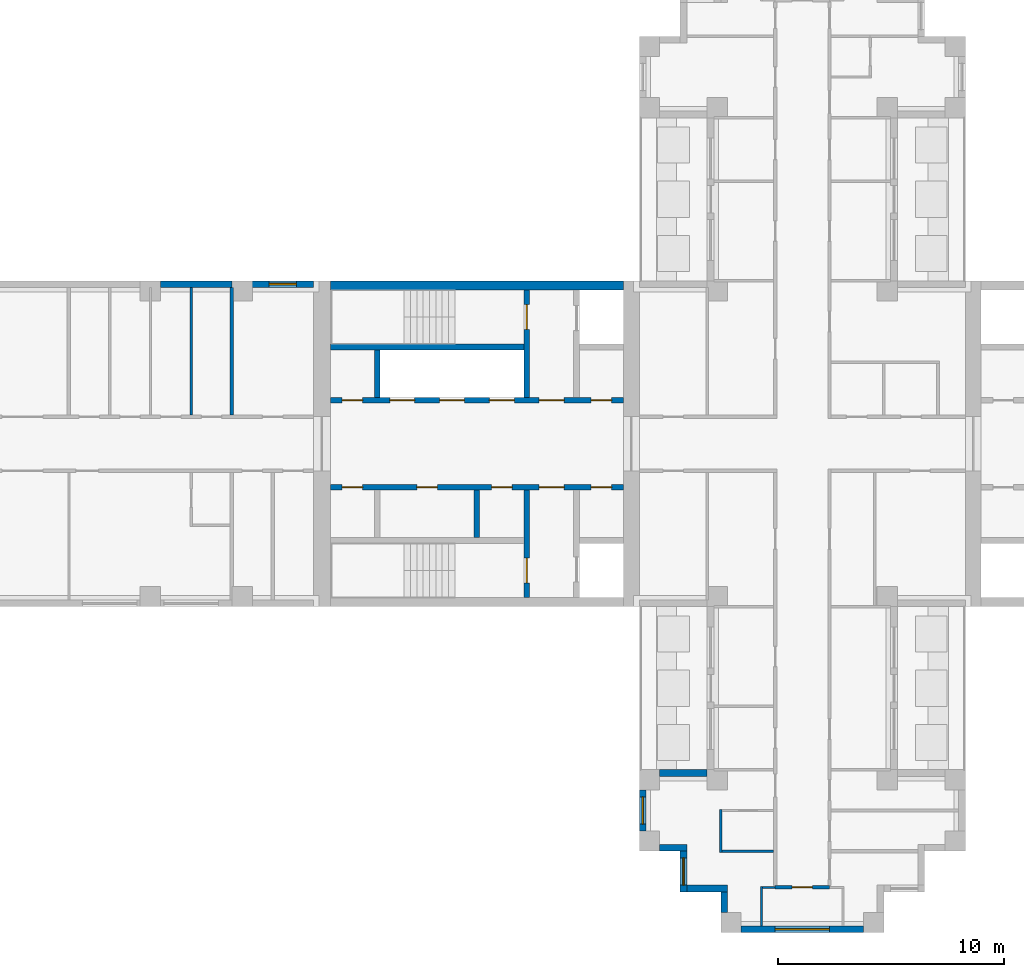
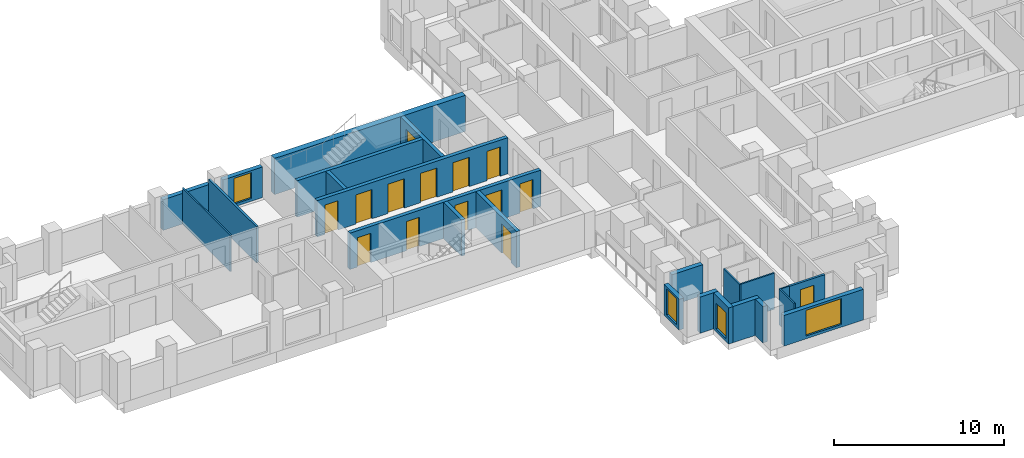
# One storey, part 3 of 10: 24 walls, 14 doors, 4 windows, 18 openings.
"""IFC4 building model written with IfcOpenShell, lengths in metres."""

from ifc_helpers import new_model, si_unit, direction, frame, frame_2d, origin, place, context, subcontext, project, spatial, rectangle, extrude, material, layer, layer_set, type_object, element, fill, save


model = new_model("IFC4")

# Units and contexts
model_context = context("Model", 3, precision=1e-05, world=origin(), true_north=direction((0.0, 1.0)))
body_context = subcontext(model_context, "Body", "Model", "MODEL_VIEW")
ifc_project = project(units=[si_unit("LENGTHUNIT", "METRE"), si_unit("AREAUNIT", "SQUARE_METRE"), si_unit("VOLUMEUNIT", "CUBIC_METRE"), si_unit("PLANEANGLEUNIT", "RADIAN"), si_unit("MASSUNIT", "GRAM", prefix="KILO")], contexts=[model_context])

# Site, building, storey
site_placement = place(None, origin())
site = spatial("IfcSite", under=ifc_project, at=site_placement, CompositionType="ELEMENT")
building_placement = place(site_placement, origin())
building = spatial("IfcBuilding", under=site, at=building_placement, Name="Fustian Cross Tower", CompositionType="ELEMENT")
storey_placement = place(building_placement, frame((0.0, 0.0, 182.699951171875)))
storey = spatial("IfcBuildingStorey", under=building, at=storey_placement, Name="L57", CompositionType="ELEMENT", Elevation=182.699951171875)

# Wall
ifc_material_1 = material(Name="Plasterboard on steel stud", Category="steel")
ifc_layer_1 = layer(ifc_material_1, 0.14990234375)
ifc_layer_set_1 = layer_set([ifc_layer_1], Name="Plasterboard on steel stud")
wall_type_1 = type_object("IfcWallType", Name="COMPARTMENT WALL 150 EI 60", PredefinedType="PARTITIONING", material=ifc_layer_set_1)
wall_1_placement = place(storey_placement, frame((-25.199951171875, 1.27490234375, 0.0), z_axis=(0.0, 0.0, 1.0), x_axis=(0.0, 1.0, 0.0)))
element("IfcWall", 1, at=wall_1_placement, inside=storey, type_object=wall_type_1, Name="Partition 11", PredefinedType="PARTITIONING", context=body_context, shape_type="SweptSolid", body=[
    extrude(rectangle(XDim=5.625, YDim=0.14990234375, at=frame_2d((2.8125, 0.0))), origin(), (0.0, 0.0, 1.0), 2.60009765625),
])

# Wall, opening, door
wall_2_placement = place(storey_placement, frame((-1.199951171875, -19.60009765625, 0.0), z_axis=(0.0, 0.0, 1.0), x_axis=(1.0, 0.0, 0.0)))
wall_2 = element("IfcWall", 2, at=wall_2_placement, inside=storey, type_object=wall_type_1, Name="Partition 32", PredefinedType="PARTITIONING", context=body_context, shape_type="SweptSolid", body=[
    extrude(rectangle(XDim=2.39990234375, YDim=0.14990234375, at=frame_2d((1.199951171875, 0.0))), origin(), (0.0, 0.0, 1.0), 2.60009765625),
])
opening_1_placement = place(wall_2_placement, frame((0.75, 0.0, 0.0)))
opening_1 = element("IfcOpeningElement", 3, at=opening_1_placement, cuts=wall_2, Name="Opening D26038", PredefinedType="OPENING", context=body_context, shape_type="SweptSolid", body=[
    extrude(rectangle(XDim=0.89990234375, YDim=2.10009765625, at=frame_2d((0.449951171875, 1.050048828125))), frame((0.0, 0.0849609375, 0.0), z_axis=(0.0, -1.0, 0.0), x_axis=(1.0, 0.0, 0.0)), (0.0, 0.0, 1.0), 0.169921875),
])
ifc_material_2 = material(Name="Timber fire door set", Category="wood")
door_type_1 = type_object("IfcDoorType", Name="FIRE SWING DOOR 900 FD30S", OperationType="SINGLE_SWING_LEFT", PredefinedType="DOOR", material=ifc_material_2)
door_1_placement = place(opening_1_placement, frame((0.89990234375, 0.0, 0.0), z_axis=(0.0, 0.0, 1.0), x_axis=(-1.0, 0.0, 0.0)))
door_1 = element("IfcDoor", 4, at=door_1_placement, inside=storey, type_object=door_type_1, Name="Door D26038", OperationType="SINGLE_SWING_RIGHT", OverallHeight=2.10009765625, OverallWidth=0.89990234375, PredefinedType="DOOR", context=body_context, shape_type="SweptSolid", body=[
    extrude(rectangle(XDim=0.89990234375, YDim=2.10009765625, at=frame_2d((0.449951171875, 1.050048828125))), frame((0.0, 0.02490234375, 0.0), z_axis=(0.0, -1.0, 0.0), x_axis=(1.0, 0.0, 0.0)), (0.0, 0.0, 1.0), 0.050048828125),
])
fill(opening_1, door_1)

# Wall
ifc_material_3 = material(Name="Concrete C50/60", Category="concrete")
ifc_layer_2 = layer(ifc_material_3, 0.39990234375)
ifc_layer_set_2 = layer_set([ifc_layer_2], Name="Concrete C50/60")
wall_type_2 = type_object("IfcWallType", Name="CORE FACADE WALL 400 C50/60", PredefinedType="SHEAR", material=ifc_layer_set_2)
wall_3_placement = place(storey_placement, frame((-7.89990234375, 7.0, 0.0), z_axis=(0.0, 0.0, 1.0), x_axis=(-1.0, 0.0, 0.0)))
element("IfcWall", 5, at=wall_3_placement, inside=storey, type_object=wall_type_2, Name="Core facade wall", PredefinedType="SHEAR", context=body_context, shape_type="SweptSolid", body=[
    extrude(rectangle(XDim=12.9501953125, YDim=0.39990234375, at=frame_2d((6.47509765625, 0.0))), origin(), (0.0, 0.0, 1.0), 2.60009765625),
])

# Wall, openings, doors
ifc_material_4 = material(Name="Concrete C50/60", Category="concrete")
ifc_layer_3 = layer(ifc_material_4, 0.25)
ifc_layer_set_3 = layer_set([ifc_layer_3], Name="Concrete C50/60")
wall_type_3 = type_object("IfcWallType", Name="CORE LOBBY WALL 250 C50/60", PredefinedType="SHEAR", material=ifc_layer_set_3)
wall_4_placement = place(storey_placement, frame((-7.89990234375, 1.925048828125, 0.0), z_axis=(0.0, 0.0, 1.0), x_axis=(-1.0, 0.0, 0.0)))
wall_4 = element("IfcWall", 6, at=wall_4_placement, inside=storey, type_object=wall_type_3, Name="Core lobby wall", PredefinedType="SHEAR", context=body_context, shape_type="SweptSolid", body=[
    extrude(rectangle(XDim=12.9501953125, YDim=0.25, at=frame_2d((6.47509765625, 0.0))), origin(), (0.0, 0.0, 1.0), 2.60009765625),
])
opening_2_placement = place(wall_4_placement, frame((4.824951171875, 0.0, 0.0)))
opening_2 = element("IfcOpeningElement", 7, at=opening_2_placement, cuts=wall_4, Name="Opening LD", PredefinedType="OPENING", context=body_context, shape_type="SweptSolid", body=[
    extrude(rectangle(XDim=1.10009765625, YDim=2.10009765625, at=frame_2d((0.550048828125, 1.050048828125))), frame((0.0, 0.135009765625, 0.0), z_axis=(0.0, -1.0, 0.0), x_axis=(1.0, 0.0, 0.0)), (0.0, 0.0, 1.0), 0.27001953125),
])
opening_3_placement = place(wall_4_placement, frame((7.02490234375, 0.0, 0.0)))
opening_3 = element("IfcOpeningElement", 8, at=opening_3_placement, cuts=wall_4, Name="Opening LD", PredefinedType="OPENING", context=body_context, shape_type="SweptSolid", body=[
    extrude(rectangle(XDim=1.10009765625, YDim=2.10009765625, at=frame_2d((0.550048828125, 1.050048828125))), frame((0.0, 0.135009765625, 0.0), z_axis=(0.0, -1.0, 0.0), x_axis=(1.0, 0.0, 0.0)), (0.0, 0.0, 1.0), 0.27001953125),
])
opening_4_placement = place(wall_4_placement, frame((9.22509765625, 0.0, 0.0)))
opening_4 = element("IfcOpeningElement", 9, at=opening_4_placement, cuts=wall_4, Name="Opening LD", PredefinedType="OPENING", context=body_context, shape_type="SweptSolid", body=[
    extrude(rectangle(XDim=1.10009765625, YDim=2.10009765625, at=frame_2d((0.550048828125, 1.050048828125))), frame((0.0, 0.135009765625, 0.0), z_axis=(0.0, -1.0, 0.0), x_axis=(1.0, 0.0, 0.0)), (0.0, 0.0, 1.0), 0.27001953125),
])
opening_5_placement = place(wall_4_placement, frame((0.52490234375, 0.0, 0.0)))
opening_5 = element("IfcOpeningElement", 10, at=opening_5_placement, cuts=wall_4, Name="Opening CD-23-25", PredefinedType="OPENING", context=body_context, shape_type="SweptSolid", body=[
    extrude(rectangle(XDim=0.89990234375, YDim=2.10009765625, at=frame_2d((0.449951171875, 1.050048828125))), frame((0.0, 0.135009765625, 0.0), z_axis=(0.0, -1.0, 0.0), x_axis=(1.0, 0.0, 0.0)), (0.0, 0.0, 1.0), 0.27001953125),
])
opening_6_placement = place(wall_4_placement, frame((2.625, 0.0, 0.0)))
opening_6 = element("IfcOpeningElement", 11, at=opening_6_placement, cuts=wall_4, Name="Opening CD-23-27", PredefinedType="OPENING", context=body_context, shape_type="SweptSolid", body=[
    extrude(rectangle(XDim=1.10009765625, YDim=2.10009765625, at=frame_2d((0.550048828125, 1.050048828125))), frame((0.0, 0.135009765625, 0.0), z_axis=(0.0, -1.0, 0.0), x_axis=(1.0, 0.0, 0.0)), (0.0, 0.0, 1.0), 0.27001953125),
])
opening_7_placement = place(wall_4_placement, frame((11.52490234375, 0.0, 0.0)))
opening_7 = element("IfcOpeningElement", 12, at=opening_7_placement, cuts=wall_4, Name="Opening CD-23-31", PredefinedType="OPENING", context=body_context, shape_type="SweptSolid", body=[
    extrude(rectangle(XDim=0.89990234375, YDim=2.10009765625, at=frame_2d((0.449951171875, 1.050048828125))), frame((0.0, 0.135009765625, 0.0), z_axis=(0.0, -1.0, 0.0), x_axis=(1.0, 0.0, 0.0)), (0.0, 0.0, 1.0), 0.27001953125),
])
ifc_material_5 = material(Name="Steel", Category="steel")
door_type_2 = type_object("IfcDoorType", Name="FIRE DOOR FD30S 900X2100", OperationType="SINGLE_SWING_LEFT", PredefinedType="DOOR", material=ifc_material_5)
door_2_placement = place(opening_7_placement, frame((0.89990234375, 0.0, 0.0), z_axis=(0.0, 0.0, 1.0), x_axis=(-1.0, 0.0, 0.0)))
door_2 = element("IfcDoor", 13, at=door_2_placement, inside=storey, type_object=door_type_2, Name="Core door CD-23-31", OperationType="SINGLE_SWING_RIGHT", OverallHeight=2.10009765625, OverallWidth=0.89990234375, PredefinedType="DOOR", context=body_context, shape_type="SweptSolid", body=[
    extrude(rectangle(XDim=0.89990234375, YDim=2.10009765625, at=frame_2d((0.449951171875, 1.050048828125))), frame((0.0, 0.02490234375, 0.0), z_axis=(0.0, -1.0, 0.0), x_axis=(1.0, 0.0, 0.0)), (0.0, 0.0, 1.0), 0.050048828125),
])
fill(opening_7, door_2)
ifc_material_6 = material(Name="Steel", Category="steel")
door_type_3 = type_object("IfcDoorType", Name="FIRE DOOR FD60S 1100X2100", OperationType="SINGLE_SWING_LEFT", PredefinedType="DOOR", material=ifc_material_6)
door_3_placement = place(opening_6_placement, frame((1.10009765625, 0.0, 0.0), z_axis=(0.0, 0.0, 1.0), x_axis=(-1.0, 0.0, 0.0)))
door_3 = element("IfcDoor", 14, at=door_3_placement, inside=storey, type_object=door_type_3, Name="Core door CD-23-27", OperationType="SINGLE_SWING_RIGHT", OverallHeight=2.10009765625, OverallWidth=1.10009765625, PredefinedType="DOOR", context=body_context, shape_type="SweptSolid", body=[
    extrude(rectangle(XDim=1.10009765625, YDim=2.10009765625, at=frame_2d((0.550048828125, 1.050048828125))), frame((0.0, 0.02490234375, 0.0), z_axis=(0.0, -1.0, 0.0), x_axis=(1.0, 0.0, 0.0)), (0.0, 0.0, 1.0), 0.050048828125),
])
fill(opening_6, door_3)
ifc_material_7 = material(Name="Steel", Category="steel")
door_type_4 = type_object("IfcDoorType", Name="FIRE DOOR FD60S 900X2100", OperationType="SINGLE_SWING_LEFT", PredefinedType="DOOR", material=ifc_material_7)
door_4_placement = place(opening_5_placement, frame((0.89990234375, 0.0, 0.0), z_axis=(0.0, 0.0, 1.0), x_axis=(-1.0, 0.0, 0.0)))
door_4 = element("IfcDoor", 15, at=door_4_placement, inside=storey, type_object=door_type_4, Name="Core door CD-23-25", OperationType="SINGLE_SWING_RIGHT", OverallHeight=2.10009765625, OverallWidth=0.89990234375, PredefinedType="DOOR", context=body_context, shape_type="SweptSolid", body=[
    extrude(rectangle(XDim=0.89990234375, YDim=2.10009765625, at=frame_2d((0.449951171875, 1.050048828125))), frame((0.0, 0.02490234375, 0.0), z_axis=(0.0, -1.0, 0.0), x_axis=(1.0, 0.0, 0.0)), (0.0, 0.0, 1.0), 0.050048828125),
])
fill(opening_5, door_4)
ifc_material_8 = material(Name="Stainless steel", Category="steel")
door_type_5 = type_object("IfcDoorType", Name="LIFT LANDING DOOR 1100X2100", OperationType="SLIDING_TO_LEFT", PredefinedType="DOOR", material=ifc_material_8)
door_5_placement = place(opening_2_placement, origin())
door_5 = element("IfcDoor", 16, at=door_5_placement, inside=storey, type_object=door_type_5, Name="Landing door HR1W", OperationType="SLIDING_TO_LEFT", OverallHeight=2.10009765625, OverallWidth=1.10009765625, PredefinedType="DOOR", context=body_context, shape_type="SweptSolid", body=[
    extrude(rectangle(XDim=1.10009765625, YDim=2.10009765625, at=frame_2d((0.550048828125, 1.050048828125))), frame((0.0, 0.02490234375, 0.0), z_axis=(0.0, -1.0, 0.0), x_axis=(1.0, 0.0, 0.0)), (0.0, 0.0, 1.0), 0.050048828125),
])
fill(opening_2, door_5)
door_6_placement = place(opening_3_placement, origin())
door_6 = element("IfcDoor", 17, at=door_6_placement, inside=storey, type_object=door_type_5, Name="Landing door HR2W", OperationType="SLIDING_TO_LEFT", OverallHeight=2.10009765625, OverallWidth=1.10009765625, PredefinedType="DOOR", context=body_context, shape_type="SweptSolid", body=[
    extrude(rectangle(XDim=1.10009765625, YDim=2.10009765625, at=frame_2d((0.550048828125, 1.050048828125))), frame((0.0, 0.02490234375, 0.0), z_axis=(0.0, -1.0, 0.0), x_axis=(1.0, 0.0, 0.0)), (0.0, 0.0, 1.0), 0.050048828125),
])
fill(opening_3, door_6)
door_7_placement = place(opening_4_placement, origin())
door_7 = element("IfcDoor", 18, at=door_7_placement, inside=storey, type_object=door_type_5, Name="Landing door HR3W", OperationType="SLIDING_TO_LEFT", OverallHeight=2.10009765625, OverallWidth=1.10009765625, PredefinedType="DOOR", context=body_context, shape_type="SweptSolid", body=[
    extrude(rectangle(XDim=1.10009765625, YDim=2.10009765625, at=frame_2d((0.550048828125, 1.050048828125))), frame((0.0, 0.02490234375, 0.0), z_axis=(0.0, -1.0, 0.0), x_axis=(1.0, 0.0, 0.0)), (0.0, 0.0, 1.0), 0.050048828125),
])
fill(opening_4, door_7)

wall_5_placement = place(storey_placement, frame((-7.89990234375, -1.925048828125, 0.0), z_axis=(0.0, 0.0, 1.0), x_axis=(-1.0, 0.0, 0.0)))
wall_5 = element("IfcWall", 19, at=wall_5_placement, inside=storey, type_object=wall_type_3, Name="Core lobby wall", PredefinedType="SHEAR", context=body_context, shape_type="SweptSolid", body=[
    extrude(rectangle(XDim=12.9501953125, YDim=0.25, at=frame_2d((6.47509765625, 0.0))), origin(), (0.0, 0.0, 1.0), 2.60009765625),
])
opening_8_placement = place(wall_5_placement, frame((0.52490234375, 0.0, 0.0)))
opening_8 = element("IfcOpeningElement", 20, at=opening_8_placement, cuts=wall_5, Name="Opening CD-23-26", PredefinedType="OPENING", context=body_context, shape_type="SweptSolid", body=[
    extrude(rectangle(XDim=0.89990234375, YDim=2.10009765625, at=frame_2d((0.449951171875, 1.050048828125))), frame((0.0, 0.135009765625, 0.0), z_axis=(0.0, -1.0, 0.0), x_axis=(1.0, 0.0, 0.0)), (0.0, 0.0, 1.0), 0.27001953125),
])
opening_9_placement = place(wall_5_placement, frame((2.625, 0.0, 0.0)))
opening_9 = element("IfcOpeningElement", 21, at=opening_9_placement, cuts=wall_5, Name="Opening CD-23-28", PredefinedType="OPENING", context=body_context, shape_type="SweptSolid", body=[
    extrude(rectangle(XDim=1.10009765625, YDim=2.10009765625, at=frame_2d((0.550048828125, 1.050048828125))), frame((0.0, 0.135009765625, 0.0), z_axis=(0.0, -1.0, 0.0), x_axis=(1.0, 0.0, 0.0)), (0.0, 0.0, 1.0), 0.27001953125),
])
opening_10_placement = place(wall_5_placement, frame((4.925048828125, 0.0, 0.0)))
opening_10 = element("IfcOpeningElement", 22, at=opening_10_placement, cuts=wall_5, Name="Opening CD-23-32", PredefinedType="OPENING", context=body_context, shape_type="SweptSolid", body=[
    extrude(rectangle(XDim=0.89990234375, YDim=2.10009765625, at=frame_2d((0.449951171875, 1.050048828125))), frame((0.0, 0.135009765625, 0.0), z_axis=(0.0, -1.0, 0.0), x_axis=(1.0, 0.0, 0.0)), (0.0, 0.0, 1.0), 0.27001953125),
])
opening_11_placement = place(wall_5_placement, frame((8.22509765625, 0.0, 0.0)))
opening_11 = element("IfcOpeningElement", 23, at=opening_11_placement, cuts=wall_5, Name="Opening CD-23-33", PredefinedType="OPENING", context=body_context, shape_type="SweptSolid", body=[
    extrude(rectangle(XDim=0.89990234375, YDim=2.10009765625, at=frame_2d((0.449951171875, 1.050048828125))), frame((0.0, 0.135009765625, 0.0), z_axis=(0.0, -1.0, 0.0), x_axis=(1.0, 0.0, 0.0)), (0.0, 0.0, 1.0), 0.27001953125),
])
opening_12_placement = place(wall_5_placement, frame((11.52490234375, 0.0, 0.0)))
opening_12 = element("IfcOpeningElement", 24, at=opening_12_placement, cuts=wall_5, Name="Opening CD-23-34", PredefinedType="OPENING", context=body_context, shape_type="SweptSolid", body=[
    extrude(rectangle(XDim=0.89990234375, YDim=2.10009765625, at=frame_2d((0.449951171875, 1.050048828125))), frame((0.0, 0.135009765625, 0.0), z_axis=(0.0, -1.0, 0.0), x_axis=(1.0, 0.0, 0.0)), (0.0, 0.0, 1.0), 0.27001953125),
])
ifc_material_9 = material(Name="Steel", Category="steel")
door_type_6 = type_object("IfcDoorType", Name="FIRE DOOR FD30S 1100X2100", OperationType="SINGLE_SWING_LEFT", PredefinedType="DOOR", material=ifc_material_9)
door_8_placement = place(opening_9_placement, frame((1.10009765625, 0.0, 0.0), z_axis=(0.0, 0.0, 1.0), x_axis=(-1.0, 0.0, 0.0)))
door_8 = element("IfcDoor", 25, at=door_8_placement, inside=storey, type_object=door_type_6, Name="Core door CD-23-28", OperationType="SINGLE_SWING_RIGHT", OverallHeight=2.10009765625, OverallWidth=1.10009765625, PredefinedType="DOOR", context=body_context, shape_type="SweptSolid", body=[
    extrude(rectangle(XDim=1.10009765625, YDim=2.10009765625, at=frame_2d((0.550048828125, 1.050048828125))), frame((0.0, 0.02490234375, 0.0), z_axis=(0.0, -1.0, 0.0), x_axis=(1.0, 0.0, 0.0)), (0.0, 0.0, 1.0), 0.050048828125),
])
fill(opening_9, door_8)
door_9_placement = place(opening_8_placement, origin())
door_9 = element("IfcDoor", 26, at=door_9_placement, inside=storey, type_object=door_type_2, Name="Core door CD-23-26", OperationType="SINGLE_SWING_LEFT", OverallHeight=2.10009765625, OverallWidth=0.89990234375, PredefinedType="DOOR", context=body_context, shape_type="SweptSolid", body=[
    extrude(rectangle(XDim=0.89990234375, YDim=2.10009765625, at=frame_2d((0.449951171875, 1.050048828125))), frame((0.0, 0.02490234375, 0.0), z_axis=(0.0, -1.0, 0.0), x_axis=(1.0, 0.0, 0.0)), (0.0, 0.0, 1.0), 0.050048828125),
])
fill(opening_8, door_9)
door_10_placement = place(opening_10_placement, origin())
door_10 = element("IfcDoor", 27, at=door_10_placement, inside=storey, type_object=door_type_2, Name="Core door CD-23-32", OperationType="SINGLE_SWING_LEFT", OverallHeight=2.10009765625, OverallWidth=0.89990234375, PredefinedType="DOOR", context=body_context, shape_type="SweptSolid", body=[
    extrude(rectangle(XDim=0.89990234375, YDim=2.10009765625, at=frame_2d((0.449951171875, 1.050048828125))), frame((0.0, 0.02490234375, 0.0), z_axis=(0.0, -1.0, 0.0), x_axis=(1.0, 0.0, 0.0)), (0.0, 0.0, 1.0), 0.050048828125),
])
fill(opening_10, door_10)
door_11_placement = place(opening_11_placement, origin())
door_11 = element("IfcDoor", 28, at=door_11_placement, inside=storey, type_object=door_type_2, Name="Core door CD-23-33", OperationType="SINGLE_SWING_RIGHT", OverallHeight=2.10009765625, OverallWidth=0.89990234375, PredefinedType="DOOR", context=body_context, shape_type="SweptSolid", body=[
    extrude(rectangle(XDim=0.89990234375, YDim=2.10009765625, at=frame_2d((0.449951171875, 1.050048828125))), frame((0.0, 0.02490234375, 0.0), z_axis=(0.0, -1.0, 0.0), x_axis=(1.0, 0.0, 0.0)), (0.0, 0.0, 1.0), 0.050048828125),
])
fill(opening_11, door_11)
door_12_placement = place(opening_12_placement, origin())
door_12 = element("IfcDoor", 29, at=door_12_placement, inside=storey, type_object=door_type_2, Name="Core door CD-23-34", OperationType="SINGLE_SWING_LEFT", OverallHeight=2.10009765625, OverallWidth=0.89990234375, PredefinedType="DOOR", context=body_context, shape_type="SweptSolid", body=[
    extrude(rectangle(XDim=0.89990234375, YDim=2.10009765625, at=frame_2d((0.449951171875, 1.050048828125))), frame((0.0, 0.02490234375, 0.0), z_axis=(0.0, -1.0, 0.0), x_axis=(1.0, 0.0, 0.0)), (0.0, 0.0, 1.0), 0.050048828125),
])
fill(opening_12, door_12)

# Wall
ifc_material_10 = material(Name="Concrete C50/60", Category="concrete")
ifc_layer_4 = layer(ifc_material_10, 0.25)
ifc_layer_set_4 = layer_set([ifc_layer_4], Name="Concrete C50/60")
wall_type_4 = type_object("IfcWallType", Name="CORE SHAFT WALL 250 C50/60", PredefinedType="SHEAR", material=ifc_layer_set_4)
wall_6_placement = place(storey_placement, frame((-12.300048828125, 4.27490234375, 0.0), z_axis=(0.0, 0.0, 1.0), x_axis=(-1.0, 0.0, 0.0)))
element("IfcWall", 30, at=wall_6_placement, inside=storey, type_object=wall_type_4, Name="Core shaft wall", PredefinedType="SHEAR", context=body_context, shape_type="SweptSolid", body=[
    extrude(rectangle(XDim=8.550048828125, YDim=0.25, at=frame_2d((4.27490234375, 0.0))), origin(), (0.0, 0.0, 1.0), 2.60009765625),
])

# Wall, opening, door
wall_7_placement = place(storey_placement, frame((-12.175048828125, 2.050048828125, 0.0), z_axis=(0.0, 0.0, 1.0), x_axis=(0.0, 1.0, 0.0)))
wall_7 = element("IfcWall", 31, at=wall_7_placement, inside=storey, type_object=wall_type_4, Name="Core shaft wall", PredefinedType="SHEAR", context=body_context, shape_type="SweptSolid", body=[
    extrude(rectangle(XDim=4.75, YDim=0.25, at=frame_2d((2.375, 0.0))), origin(), (0.0, 0.0, 1.0), 2.60009765625),
])
opening_13_placement = place(wall_7_placement, frame((3.0, 0.0, 0.0)))
opening_13 = element("IfcOpeningElement", 32, at=opening_13_placement, cuts=wall_7, Name="Opening CD-23-23", PredefinedType="OPENING", context=body_context, shape_type="SweptSolid", body=[
    extrude(rectangle(XDim=1.10009765625, YDim=2.10009765625, at=frame_2d((0.550048828125, 1.050048828125))), frame((0.0, 0.135009765625, 0.0), z_axis=(0.0, -1.0, 0.0), x_axis=(1.0, 0.0, 0.0)), (0.0, 0.0, 1.0), 0.27001953125),
])
door_13_placement = place(opening_13_placement, origin())
door_13 = element("IfcDoor", 33, at=door_13_placement, inside=storey, type_object=door_type_3, Name="Core door CD-23-23", OperationType="SINGLE_SWING_LEFT", OverallHeight=2.10009765625, OverallWidth=1.10009765625, PredefinedType="DOOR", context=body_context, shape_type="SweptSolid", body=[
    extrude(rectangle(XDim=1.10009765625, YDim=2.10009765625, at=frame_2d((0.550048828125, 1.050048828125))), frame((0.0, 0.02490234375, 0.0), z_axis=(0.0, -1.0, 0.0), x_axis=(1.0, 0.0, 0.0)), (0.0, 0.0, 1.0), 0.050048828125),
])
fill(opening_13, door_13)

wall_8_placement = place(storey_placement, frame((-12.175048828125, -2.050048828125, 0.0), z_axis=(0.0, 0.0, 1.0), x_axis=(0.0, -1.0, 0.0)))
wall_8 = element("IfcWall", 34, at=wall_8_placement, inside=storey, type_object=wall_type_4, Name="Core shaft wall", PredefinedType="SHEAR", context=body_context, shape_type="SweptSolid", body=[
    extrude(rectangle(XDim=4.75, YDim=0.25, at=frame_2d((2.375, 0.0))), origin(), (0.0, 0.0, 1.0), 2.60009765625),
])
opening_14_placement = place(wall_8_placement, frame((3.0, 0.0, 0.0)))
opening_14 = element("IfcOpeningElement", 35, at=opening_14_placement, cuts=wall_8, Name="Opening CD-23-24", PredefinedType="OPENING", context=body_context, shape_type="SweptSolid", body=[
    extrude(rectangle(XDim=1.10009765625, YDim=2.10009765625, at=frame_2d((0.550048828125, 1.050048828125))), frame((0.0, 0.135009765625, 0.0), z_axis=(0.0, -1.0, 0.0), x_axis=(1.0, 0.0, 0.0)), (0.0, 0.0, 1.0), 0.27001953125),
])
door_14_placement = place(opening_14_placement, frame((1.10009765625, 0.0, 0.0), z_axis=(0.0, 0.0, 1.0), x_axis=(-1.0, 0.0, 0.0)))
door_14 = element("IfcDoor", 36, at=door_14_placement, inside=storey, type_object=door_type_3, Name="Core door CD-23-24", OperationType="SINGLE_SWING_RIGHT", OverallHeight=2.10009765625, OverallWidth=1.10009765625, PredefinedType="DOOR", context=body_context, shape_type="SweptSolid", body=[
    extrude(rectangle(XDim=1.10009765625, YDim=2.10009765625, at=frame_2d((0.550048828125, 1.050048828125))), frame((0.0, 0.02490234375, 0.0), z_axis=(0.0, -1.0, 0.0), x_axis=(1.0, 0.0, 0.0)), (0.0, 0.0, 1.0), 0.050048828125),
])
fill(opening_14, door_14)

# Walls
ifc_material_11 = material(Name="Plasterboard on steel stud", Category="steel")
ifc_layer_5 = layer(ifc_material_11, 0.10009765625)
ifc_layer_set_5 = layer_set([ifc_layer_5], Name="Plasterboard on steel stud")
wall_type_5 = type_object("IfcWallType", Name="PARTITION 100 STUD", PredefinedType="PARTITIONING", material=ifc_layer_set_5)
wall_9_placement = place(storey_placement, frame((-27.0, 1.27490234375, 0.0), z_axis=(0.0, 0.0, 1.0), x_axis=(0.0, 1.0, 0.0)))
element("IfcWall", 37, at=wall_9_placement, inside=storey, type_object=wall_type_5, Name="Partition 9", PredefinedType="PARTITIONING", context=body_context, shape_type="SweptSolid", body=[
    extrude(rectangle(XDim=5.625, YDim=0.10009765625, at=frame_2d((2.8125, 0.0))), origin(), (0.0, 0.0, 1.0), 2.60009765625),
])
wall_10_placement = place(storey_placement, frame((-3.60009765625, -18.050048828125, 0.0), z_axis=(0.0, 0.0, 1.0), x_axis=(0.0, 1.0, 0.0)))
element("IfcWall", 38, at=wall_10_placement, inside=storey, type_object=wall_type_5, Name="Partition 24", PredefinedType="PARTITIONING", context=body_context, shape_type="SweptSolid", body=[
    extrude(rectangle(XDim=1.900146484375, YDim=0.10009765625, at=frame_2d((0.9501953125, 0.0))), origin(), (0.0, 0.0, 1.0), 2.60009765625),
])
wall_11_placement = place(storey_placement, frame((-3.550048828125, -18.0, 0.0), z_axis=(0.0, 0.0, 1.0), x_axis=(1.0, 0.0, 0.0)))
element("IfcWall", 39, at=wall_11_placement, inside=storey, type_object=wall_type_5, Name="Partition 25", PredefinedType="PARTITIONING", context=body_context, shape_type="SweptSolid", body=[
    extrude(rectangle(XDim=2.275146484375, YDim=0.10009765625, at=frame_2d((1.1376953125, 0.0))), origin(), (0.0, 0.0, 1.0), 2.60009765625),
])
wall_12_placement = place(storey_placement, frame((-1.800048828125, -21.300048828125, 0.0), z_axis=(0.0, 0.0, 1.0), x_axis=(0.0, 1.0, 0.0)))
element("IfcWall", 40, at=wall_12_placement, inside=storey, type_object=wall_type_5, Name="Partition 27", PredefinedType="PARTITIONING", context=body_context, shape_type="SweptSolid", body=[
    extrude(rectangle(XDim=1.75, YDim=0.10009765625, at=frame_2d((0.875, 0.0))), origin(), (0.0, 0.0, 1.0), 2.60009765625),
])
wall_13_placement = place(storey_placement, frame((-1.75, -19.60009765625, 0.0), z_axis=(0.0, 0.0, 1.0), x_axis=(1.0, 0.0, 0.0)))
element("IfcWall", 41, at=wall_13_placement, inside=storey, type_object=wall_type_5, Name="Partition 28", PredefinedType="PARTITIONING", context=body_context, shape_type="SweptSolid", body=[
    extrude(rectangle(XDim=0.550048828125, YDim=0.10009765625, at=frame_2d((0.27490234375, 0.0))), origin(), (0.0, 0.0, 1.0), 2.60009765625),
])
ifc_material_12 = material(Name="Concrete C40/50", Category="concrete")
ifc_layer_6 = layer(ifc_material_12, 0.25)
ifc_layer_set_6 = layer_set([ifc_layer_6], Name="Concrete C40/50")
wall_type_6 = type_object("IfcWallType", Name="SHAFT PARTITION WALL 250 C40/50", PredefinedType="PARTITIONING", material=ifc_layer_set_6)
for number, where, z_axis, x_axis, name in (
    (42, (-18.77490234375, 2.050048828125, 0.0), (0.0, 0.0, 1.0), (0.0, 1.0, 0.0), "Core shaft wall"),
    (43, (-14.375, -2.050048828125, 0.0), (0.0, 0.0, 1.0), (0.0, -1.0, 0.0), "Core shaft wall"),
):
    element("IfcWall", number, at=place(storey_placement, frame(where, z_axis=z_axis, x_axis=x_axis)), inside=storey, type_object=wall_type_6, Name=name, PredefinedType="PARTITIONING", context=body_context, shape_type="SweptSolid", body=[
        extrude(rectangle(XDim=2.099853515625, YDim=0.25, at=frame_2d((1.0498046875, 0.0))), origin(), (0.0, 0.0, 1.0), 2.60009765625),
    ])

# Wall, opening, window
ifc_material_13 = material(Name="Dark aluminium cladding on insulated backing wall", Category="aluminium")
ifc_layer_7 = layer(ifc_material_13, 0.300048828125)
ifc_layer_set_7 = layer_set([ifc_layer_7], Name="Dark aluminium cladding on insulated backing wall")
wall_type_7 = type_object("IfcWallType", Name="XW1 EXTERNAL WALL 300", PredefinedType="SOLIDWALL", material=ifc_layer_set_7)
wall_14_placement = place(storey_placement, frame((-21.60009765625, 7.050048828125, 0.0), z_axis=(0.0, 0.0, 1.0), x_axis=(-1.0, 0.0, 0.0)))
wall_14 = element("IfcWall", 44, at=wall_14_placement, inside=storey, type_object=wall_type_7, Name="External wall", PredefinedType="SOLIDWALL", context=body_context, shape_type="SweptSolid", body=[
    extrude(rectangle(XDim=2.699951171875, YDim=0.300048828125, at=frame_2d((1.35009765625, 0.0))), origin(), (0.0, 0.0, 1.0), 2.199951171875),
])
opening_15_placement = place(wall_14_placement, frame((0.75, 0.0, 0.199951171875)))
opening_15 = element("IfcOpeningElement", 45, at=opening_15_placement, cuts=wall_14, Name="Opening WN3", PredefinedType="OPENING", context=body_context, shape_type="SweptSolid", body=[
    extrude(rectangle(XDim=1.199951171875, YDim=1.85009765625, at=frame_2d((0.60009765625, 0.925048828125))), frame((0.0, 0.159912109375, 0.0), z_axis=(0.0, -1.0, 0.0), x_axis=(1.0, 0.0, 0.0)), (0.0, 0.0, 1.0), 0.320068359375),
])
ifc_material_14 = material(Name="Dark anodised aluminium and double glazing", Category="aluminium")
window_type_1 = type_object("IfcWindowType", Name="WN3 WINDOW 1200X1850", PartitioningType="SINGLE_PANEL", PredefinedType="WINDOW", material=ifc_material_14)
window_1_placement = place(opening_15_placement, origin())
window_1 = element("IfcWindow", 46, at=window_1_placement, inside=storey, type_object=window_type_1, Name="Window", OverallHeight=1.85009765625, OverallWidth=1.199951171875, PartitioningType="SINGLE_PANEL", PredefinedType="WINDOW", context=body_context, shape_type="SweptSolid", body=[
    extrude(rectangle(XDim=1.199951171875, YDim=1.85009765625, at=frame_2d((0.60009765625, 0.925048828125))), frame((0.0, 0.030029296875, 0.0), z_axis=(0.0, -1.0, 0.0), x_axis=(1.0, 0.0, 0.0)), (0.0, 0.0, 1.0), 0.06005859375),
])
fill(opening_15, window_1)

# Walls
wall_15_placement = place(storey_placement, frame((-25.199951171875, 7.050048828125, 0.0), z_axis=(0.0, 0.0, 1.0), x_axis=(-1.0, 0.0, 0.0)))
element("IfcWall", 47, at=wall_15_placement, inside=storey, type_object=wall_type_7, Name="External wall", PredefinedType="SOLIDWALL", context=body_context, shape_type="SweptSolid", body=[
    extrude(rectangle(XDim=3.150146484375, YDim=0.300048828125, at=frame_2d((1.5751953125, 0.0))), origin(), (0.0, 0.0, 1.0), 2.199951171875),
])
wall_16_placement = place(storey_placement, frame((-4.199951171875, -14.550048828125, 0.0), z_axis=(0.0, 0.0, 1.0), x_axis=(-1.0, 0.0, 0.0)))
element("IfcWall", 48, at=wall_16_placement, inside=storey, type_object=wall_type_7, Name="External wall", PredefinedType="SOLIDWALL", context=body_context, shape_type="SweptSolid", body=[
    extrude(rectangle(XDim=2.10009765625, YDim=0.300048828125, at=frame_2d((1.050048828125, 0.0))), origin(), (0.0, 0.0, 1.0), 2.199951171875),
])

# Wall, opening, window
wall_17_placement = place(storey_placement, frame((-7.050048828125, -15.300048828125, 0.0), z_axis=(0.0, 0.0, 1.0), x_axis=(0.0, -1.0, 0.0)))
wall_17 = element("IfcWall", 49, at=wall_17_placement, inside=storey, type_object=wall_type_7, Name="External wall", PredefinedType="SOLIDWALL", context=body_context, shape_type="SweptSolid", body=[
    extrude(rectangle(XDim=1.800048828125, YDim=0.300048828125, at=frame_2d((0.89990234375, 0.0))), origin(), (0.0, 0.0, 1.0), 2.199951171875),
])
opening_16_placement = place(wall_17_placement, frame((0.300048828125, 0.0, 0.199951171875)))
opening_16 = element("IfcOpeningElement", 50, at=opening_16_placement, cuts=wall_17, Name="Opening WN3", PredefinedType="OPENING", context=body_context, shape_type="SweptSolid", body=[
    extrude(rectangle(XDim=1.199951171875, YDim=1.85009765625, at=frame_2d((0.60009765625, 0.925048828125))), frame((0.0, 0.159912109375, 0.0), z_axis=(0.0, -1.0, 0.0), x_axis=(1.0, 0.0, 0.0)), (0.0, 0.0, 1.0), 0.320068359375),
])
window_2_placement = place(opening_16_placement, origin())
window_2 = element("IfcWindow", 51, at=window_2_placement, inside=storey, type_object=window_type_1, Name="Window", OverallHeight=1.85009765625, OverallWidth=1.199951171875, PartitioningType="SINGLE_PANEL", PredefinedType="WINDOW", context=body_context, shape_type="SweptSolid", body=[
    extrude(rectangle(XDim=1.199951171875, YDim=1.85009765625, at=frame_2d((0.60009765625, 0.925048828125))), frame((0.0, 0.030029296875, 0.0), z_axis=(0.0, -1.0, 0.0), x_axis=(1.0, 0.0, 0.0)), (0.0, 0.0, 1.0), 0.06005859375),
])
fill(opening_16, window_2)

# Wall
wall_18_placement = place(storey_placement, frame((-6.300048828125, -17.85009765625, 0.0), z_axis=(0.0, 0.0, 1.0), x_axis=(1.0, 0.0, 0.0)))
element("IfcWall", 52, at=wall_18_placement, inside=storey, type_object=wall_type_7, Name="External wall", PredefinedType="SOLIDWALL", context=body_context, shape_type="SweptSolid", body=[
    extrude(rectangle(XDim=1.199951171875, YDim=0.300048828125, at=frame_2d((0.60009765625, 0.0))), origin(), (0.0, 0.0, 1.0), 2.60009765625),
])

# Wall, opening, window
wall_19_placement = place(storey_placement, frame((-5.25, -18.0, 0.0), z_axis=(0.0, 0.0, 1.0), x_axis=(0.0, -1.0, 0.0)))
wall_19 = element("IfcWall", 53, at=wall_19_placement, inside=storey, type_object=wall_type_7, Name="External wall", PredefinedType="SOLIDWALL", context=body_context, shape_type="SweptSolid", body=[
    extrude(rectangle(XDim=1.800048828125, YDim=0.300048828125, at=frame_2d((0.89990234375, 0.0))), origin(), (0.0, 0.0, 1.0), 2.60009765625),
])
opening_17_placement = place(wall_19_placement, frame((0.300048828125, 0.0, 0.199951171875)))
opening_17 = element("IfcOpeningElement", 54, at=opening_17_placement, cuts=wall_19, Name="Opening WN3", PredefinedType="OPENING", context=body_context, shape_type="SweptSolid", body=[
    extrude(rectangle(XDim=1.199951171875, YDim=1.85009765625, at=frame_2d((0.60009765625, 0.925048828125))), frame((0.0, 0.159912109375, 0.0), z_axis=(0.0, -1.0, 0.0), x_axis=(1.0, 0.0, 0.0)), (0.0, 0.0, 1.0), 0.320068359375),
])
window_3_placement = place(opening_17_placement, origin())
window_3 = element("IfcWindow", 55, at=window_3_placement, inside=storey, type_object=window_type_1, Name="Window", OverallHeight=1.85009765625, OverallWidth=1.199951171875, PartitioningType="SINGLE_PANEL", PredefinedType="WINDOW", context=body_context, shape_type="SweptSolid", body=[
    extrude(rectangle(XDim=1.199951171875, YDim=1.85009765625, at=frame_2d((0.60009765625, 0.925048828125))), frame((0.0, 0.030029296875, 0.0), z_axis=(0.0, -1.0, 0.0), x_axis=(1.0, 0.0, 0.0)), (0.0, 0.0, 1.0), 0.06005859375),
])
fill(opening_17, window_3)

# Walls
wall_20_placement = place(storey_placement, frame((-5.10009765625, -19.64990234375, 0.0), z_axis=(0.0, 0.0, 1.0), x_axis=(1.0, 0.0, 0.0)))
element("IfcWall", 56, at=wall_20_placement, inside=storey, type_object=wall_type_7, Name="External wall", PredefinedType="SOLIDWALL", context=body_context, shape_type="SweptSolid", body=[
    extrude(rectangle(XDim=1.800048828125, YDim=0.300048828125, at=frame_2d((0.89990234375, 0.0))), origin(), (0.0, 0.0, 1.0), 2.60009765625),
])
wall_21_placement = place(storey_placement, frame((-3.449951171875, -19.800048828125, 0.0), z_axis=(0.0, 0.0, 1.0), x_axis=(0.0, -1.0, 0.0)))
element("IfcWall", 57, at=wall_21_placement, inside=storey, type_object=wall_type_7, Name="External wall", PredefinedType="SOLIDWALL", context=body_context, shape_type="SweptSolid", body=[
    extrude(rectangle(XDim=0.89990234375, YDim=0.300048828125, at=frame_2d((0.449951171875, 0.0))), origin(), (0.0, 0.0, 1.0), 2.60009765625),
])

# Wall, opening, window
wall_22_placement = place(storey_placement, frame((-2.699951171875, -21.449951171875, 0.0), z_axis=(0.0, 0.0, 1.0), x_axis=(1.0, 0.0, 0.0)))
wall_22 = element("IfcWall", 58, at=wall_22_placement, inside=storey, type_object=wall_type_7, Name="External wall", PredefinedType="SOLIDWALL", context=body_context, shape_type="SweptSolid", body=[
    extrude(rectangle(XDim=5.39990234375, YDim=0.300048828125, at=frame_2d((2.699951171875, 0.0))), origin(), (0.0, 0.0, 1.0), 2.199951171875),
])
opening_18_placement = place(wall_22_placement, frame((1.5, 0.0, 0.199951171875)))
opening_18 = element("IfcOpeningElement", 59, at=opening_18_placement, cuts=wall_22, Name="Opening WN1", PredefinedType="OPENING", context=body_context, shape_type="SweptSolid", body=[
    extrude(rectangle(XDim=2.39990234375, YDim=1.85009765625, at=frame_2d((1.199951171875, 0.925048828125))), frame((0.0, 0.159912109375, 0.0), z_axis=(0.0, -1.0, 0.0), x_axis=(1.0, 0.0, 0.0)), (0.0, 0.0, 1.0), 0.320068359375),
])
ifc_material_15 = material(Name="Dark anodised aluminium and double glazing", Category="aluminium")
window_type_2 = type_object("IfcWindowType", Name="WN1 WINDOW 2400X1850", PartitioningType="SINGLE_PANEL", PredefinedType="WINDOW", material=ifc_material_15)
window_4_placement = place(opening_18_placement, origin())
window_4 = element("IfcWindow", 60, at=window_4_placement, inside=storey, type_object=window_type_2, Name="Window", OverallHeight=1.85009765625, OverallWidth=2.39990234375, PartitioningType="SINGLE_PANEL", PredefinedType="WINDOW", context=body_context, shape_type="SweptSolid", body=[
    extrude(rectangle(XDim=2.39990234375, YDim=1.85009765625, at=frame_2d((1.199951171875, 0.925048828125))), frame((0.0, 0.030029296875, 0.0), z_axis=(0.0, -1.0, 0.0), x_axis=(1.0, 0.0, 0.0)), (0.0, 0.0, 1.0), 0.06005859375),
])
fill(opening_18, window_4)

save(model, "model.ifc")
